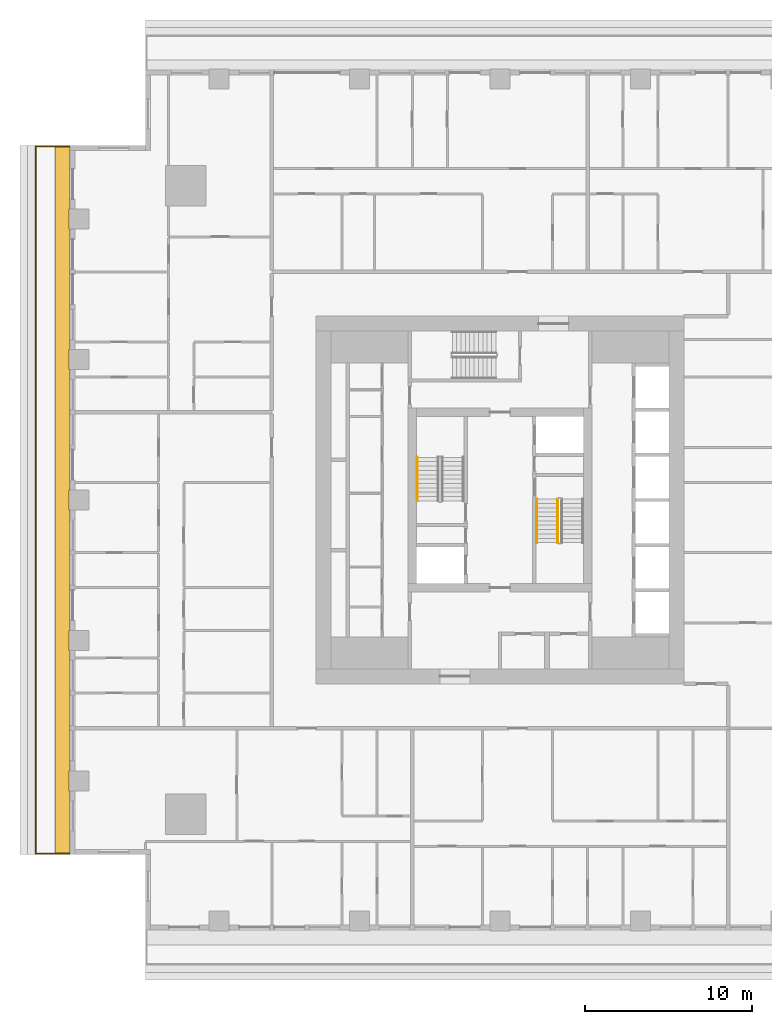
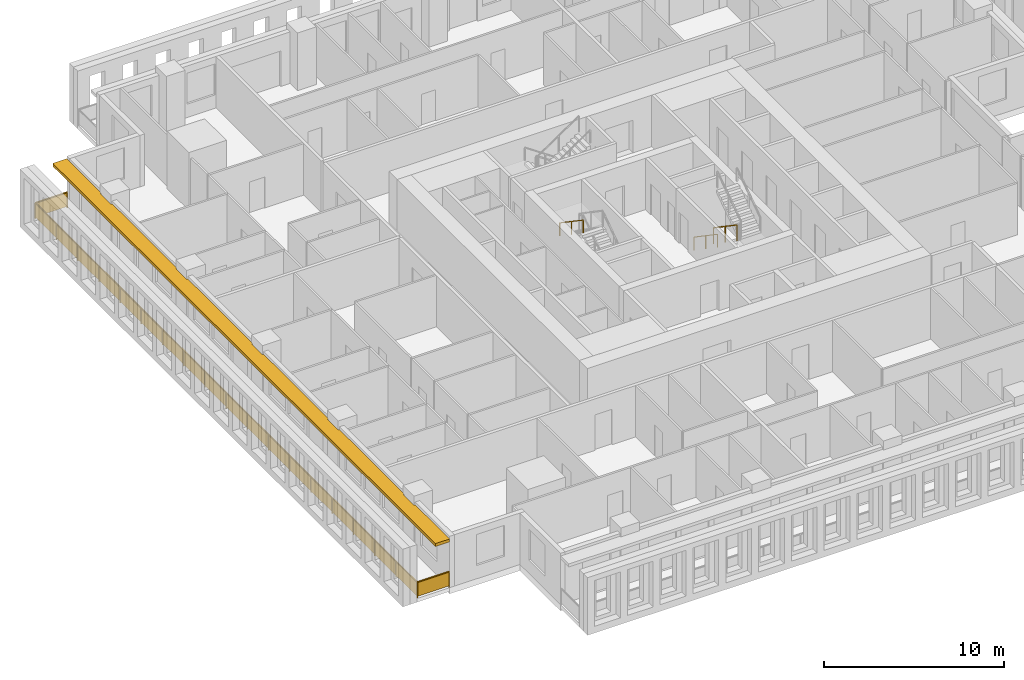
# One storey, part 12 of 16: 4 railings, 1 shading device.
"""IFC4 building model written with IfcOpenShell, lengths in metres."""

from ifc_helpers import new_model, si_unit, direction, frame, origin, origin_2d, place, context, subcontext, project, spatial, polyline, rectangle, outline, extrude, material, layer, layer_set, type_object, element, save


model = new_model("IFC4")

# Units and contexts
model_context = context("Model", 3, precision=1e-05, world=origin(), true_north=direction((0.0, 1.0)))
body_context = subcontext(model_context, "Body", "Model", "MODEL_VIEW")
ifc_project = project(units=[si_unit("LENGTHUNIT", "METRE"), si_unit("AREAUNIT", "SQUARE_METRE"), si_unit("VOLUMEUNIT", "CUBIC_METRE"), si_unit("PLANEANGLEUNIT", "RADIAN"), si_unit("MASSUNIT", "GRAM", prefix="KILO")], contexts=[model_context])

# Site, building, storey
site_placement = place(None, origin())
site = spatial("IfcSite", under=ifc_project, at=site_placement, CompositionType="ELEMENT")
building_placement = place(site_placement, origin())
building = spatial("IfcBuilding", under=site, at=building_placement, Name="Khepri Terraces", CompositionType="ELEMENT")
storey_placement = place(building_placement, frame((0.0, 0.0, 192.300048828125)))
storey = spatial("IfcBuildingStorey", under=building, at=storey_placement, Name="L45", CompositionType="ELEMENT", Elevation=192.300048828125)

# Railings
ifc_material_1 = material(Name="Stainless steel grade 316", Category="steel")
railing_type_1 = type_object("IfcRailingType", Name="GRD-BAL-1100", PredefinedType="GUARDRAIL", material=ifc_material_1)
railing_1_placement = place(storey_placement, frame((-25.719970703125, 21.169921875, 0.0)))
element("IfcRailing", 1, at=railing_1_placement, inside=storey, type_object=railing_type_1, Name="Balcony guard L45 W", PredefinedType="GUARDRAIL", context=body_context, shape_type="SweptSolid", body=[
    extrude(rectangle(XDim=0.050048828125, YDim=0.06005859375, at=origin_2d()), frame((0.0, 0.0, 1.070068359375), z_axis=(-1.0, 0.0, 0.0), x_axis=(0.0, -1.0, 0.0)), (0.0, 0.0, 1.0), 2.050048828125),
    extrude(rectangle(XDim=2.0, YDim=0.011962890625, at=origin_2d()), frame((-1.02490234375, 0.0, 0.10009765625), z_axis=(0.0, 0.0, 1.0), x_axis=(-1.0, 0.0, 0.0)), (0.0, 0.0, 1.0), 0.93994140625),
    extrude(rectangle(XDim=0.050048828125, YDim=0.06005859375, at=origin_2d()), frame((-2.050048828125, 0.0, 1.070068359375), z_axis=(0.0, -1.0, 0.0), x_axis=(1.0, 0.0, 0.0)), (0.0, 0.0, 1.0), 42.33984375),
    extrude(rectangle(XDim=2.30224609375, YDim=0.011962890625, at=origin_2d()), frame((-2.050048828125, -1.176025390625, 0.10009765625), z_axis=(0.0, 0.0, 1.0), x_axis=(0.0, -1.0, 0.0)), (0.0, 0.0, 1.0), 0.93994140625),
    extrude(rectangle(XDim=2.30224609375, YDim=0.011962890625, at=origin_2d()), frame((-2.050048828125, -3.5283203125, 0.10009765625), z_axis=(0.0, 0.0, 1.0), x_axis=(0.0, -1.0, 0.0)), (0.0, 0.0, 1.0), 0.93994140625),
    extrude(rectangle(XDim=2.30224609375, YDim=0.011962890625, at=origin_2d()), frame((-2.050048828125, -5.880615234375, 0.10009765625), z_axis=(0.0, 0.0, 1.0), x_axis=(0.0, -1.0, 0.0)), (0.0, 0.0, 1.0), 0.93994140625),
    extrude(rectangle(XDim=2.30224609375, YDim=0.011962890625, at=origin_2d()), frame((-2.050048828125, -8.232666015625, 0.10009765625), z_axis=(0.0, 0.0, 1.0), x_axis=(0.0, -1.0, 0.0)), (0.0, 0.0, 1.0), 0.93994140625),
    extrude(rectangle(XDim=2.30224609375, YDim=0.011962890625, at=origin_2d()), frame((-2.050048828125, -10.5849609375, 0.10009765625), z_axis=(0.0, 0.0, 1.0), x_axis=(0.0, -1.0, 0.0)), (0.0, 0.0, 1.0), 0.93994140625),
    extrude(rectangle(XDim=2.30224609375, YDim=0.011962890625, at=origin_2d()), frame((-2.050048828125, -12.937255859375, 0.10009765625), z_axis=(0.0, 0.0, 1.0), x_axis=(0.0, -1.0, 0.0)), (0.0, 0.0, 1.0), 0.93994140625),
    extrude(rectangle(XDim=2.30224609375, YDim=0.011962890625, at=origin_2d()), frame((-2.050048828125, -15.289306640625, 0.10009765625), z_axis=(0.0, 0.0, 1.0), x_axis=(0.0, -1.0, 0.0)), (0.0, 0.0, 1.0), 0.93994140625),
    extrude(rectangle(XDim=2.30224609375, YDim=0.011962890625, at=origin_2d()), frame((-2.050048828125, -17.6416015625, 0.10009765625), z_axis=(0.0, 0.0, 1.0), x_axis=(0.0, -1.0, 0.0)), (0.0, 0.0, 1.0), 0.93994140625),
    extrude(rectangle(XDim=2.30224609375, YDim=0.011962890625, at=origin_2d()), frame((-2.050048828125, -19.993896484375, 0.10009765625), z_axis=(0.0, 0.0, 1.0), x_axis=(0.0, -1.0, 0.0)), (0.0, 0.0, 1.0), 0.93994140625),
    extrude(rectangle(XDim=2.30224609375, YDim=0.011962890625, at=origin_2d()), frame((-2.050048828125, -22.345947265625, 0.10009765625), z_axis=(0.0, 0.0, 1.0), x_axis=(0.0, -1.0, 0.0)), (0.0, 0.0, 1.0), 0.93994140625),
    extrude(rectangle(XDim=2.30224609375, YDim=0.011962890625, at=origin_2d()), frame((-2.050048828125, -24.6982421875, 0.10009765625), z_axis=(0.0, 0.0, 1.0), x_axis=(0.0, -1.0, 0.0)), (0.0, 0.0, 1.0), 0.93994140625),
    extrude(rectangle(XDim=2.30224609375, YDim=0.011962890625, at=origin_2d()), frame((-2.050048828125, -27.050537109375, 0.10009765625), z_axis=(0.0, 0.0, 1.0), x_axis=(0.0, -1.0, 0.0)), (0.0, 0.0, 1.0), 0.93994140625),
    extrude(rectangle(XDim=2.30224609375, YDim=0.011962890625, at=origin_2d()), frame((-2.050048828125, -29.402587890625, 0.10009765625), z_axis=(0.0, 0.0, 1.0), x_axis=(0.0, -1.0, 0.0)), (0.0, 0.0, 1.0), 0.93994140625),
    extrude(rectangle(XDim=2.30224609375, YDim=0.011962890625, at=origin_2d()), frame((-2.050048828125, -31.7548828125, 0.10009765625), z_axis=(0.0, 0.0, 1.0), x_axis=(0.0, -1.0, 0.0)), (0.0, 0.0, 1.0), 0.93994140625),
    extrude(rectangle(XDim=2.30224609375, YDim=0.011962890625, at=origin_2d()), frame((-2.050048828125, -34.107177734375, 0.10009765625), z_axis=(0.0, 0.0, 1.0), x_axis=(0.0, -1.0, 0.0)), (0.0, 0.0, 1.0), 0.93994140625),
    extrude(rectangle(XDim=2.30224609375, YDim=0.011962890625, at=origin_2d()), frame((-2.050048828125, -36.459228515625, 0.10009765625), z_axis=(0.0, 0.0, 1.0), x_axis=(0.0, -1.0, 0.0)), (0.0, 0.0, 1.0), 0.93994140625),
    extrude(rectangle(XDim=2.30224609375, YDim=0.011962890625, at=origin_2d()), frame((-2.050048828125, -38.8115234375, 0.10009765625), z_axis=(0.0, 0.0, 1.0), x_axis=(0.0, -1.0, 0.0)), (0.0, 0.0, 1.0), 0.93994140625),
    extrude(rectangle(XDim=2.30224609375, YDim=0.011962890625, at=origin_2d()), frame((-2.050048828125, -41.163818359375, 0.10009765625), z_axis=(0.0, 0.0, 1.0), x_axis=(0.0, -1.0, 0.0)), (0.0, 0.0, 1.0), 0.93994140625),
    extrude(rectangle(XDim=0.050048828125, YDim=0.06005859375, at=origin_2d()), frame((-2.050048828125, -42.33984375, 1.070068359375), z_axis=(1.0, 0.0, 0.0), x_axis=(0.0, 1.0, 0.0)), (0.0, 0.0, 1.0), 2.050048828125),
    extrude(rectangle(XDim=2.0, YDim=0.011962890625, at=origin_2d()), frame((-1.02490234375, -42.33984375, 0.10009765625), z_axis=(0.0, 0.0, 1.0), x_axis=(1.0, 0.0, 0.0)), (0.0, 0.0, 1.0), 0.93994140625),
    extrude(rectangle(XDim=0.050048828125, YDim=0.050048828125, at=origin_2d()), origin(), (0.0, 0.0, 1.0), 1.0400390625),
    extrude(rectangle(XDim=0.050048828125, YDim=0.050048828125, at=origin_2d()), frame((-2.050048828125, 0.0, 0.0)), (0.0, 0.0, 1.0), 1.0400390625),
    extrude(rectangle(XDim=0.050048828125, YDim=0.050048828125, at=origin_2d()), frame((-2.050048828125, -2.352294921875, 0.0)), (0.0, 0.0, 1.0), 1.0400390625),
    extrude(rectangle(XDim=0.050048828125, YDim=0.050048828125, at=origin_2d()), frame((-2.050048828125, -4.704345703125, 0.0)), (0.0, 0.0, 1.0), 1.0400390625),
    extrude(rectangle(XDim=0.050048828125, YDim=0.050048828125, at=origin_2d()), frame((-2.050048828125, -7.056640625, 0.0)), (0.0, 0.0, 1.0), 1.0400390625),
    extrude(rectangle(XDim=0.050048828125, YDim=0.050048828125, at=origin_2d()), frame((-2.050048828125, -9.408935546875, 0.0)), (0.0, 0.0, 1.0), 1.0400390625),
    extrude(rectangle(XDim=0.050048828125, YDim=0.050048828125, at=origin_2d()), frame((-2.050048828125, -11.760986328125, 0.0)), (0.0, 0.0, 1.0), 1.0400390625),
    extrude(rectangle(XDim=0.050048828125, YDim=0.050048828125, at=origin_2d()), frame((-2.050048828125, -14.11328125, 0.0)), (0.0, 0.0, 1.0), 1.0400390625),
    extrude(rectangle(XDim=0.050048828125, YDim=0.050048828125, at=origin_2d()), frame((-2.050048828125, -16.465576171875, 0.0)), (0.0, 0.0, 1.0), 1.0400390625),
    extrude(rectangle(XDim=0.050048828125, YDim=0.050048828125, at=origin_2d()), frame((-2.050048828125, -18.817626953125, 0.0)), (0.0, 0.0, 1.0), 1.0400390625),
    extrude(rectangle(XDim=0.050048828125, YDim=0.050048828125, at=origin_2d()), frame((-2.050048828125, -21.169921875, 0.0)), (0.0, 0.0, 1.0), 1.0400390625),
    extrude(rectangle(XDim=0.050048828125, YDim=0.050048828125, at=origin_2d()), frame((-2.050048828125, -23.522216796875, 0.0)), (0.0, 0.0, 1.0), 1.0400390625),
    extrude(rectangle(XDim=0.050048828125, YDim=0.050048828125, at=origin_2d()), frame((-2.050048828125, -25.874267578125, 0.0)), (0.0, 0.0, 1.0), 1.0400390625),
    extrude(rectangle(XDim=0.050048828125, YDim=0.050048828125, at=origin_2d()), frame((-2.050048828125, -28.2265625, 0.0)), (0.0, 0.0, 1.0), 1.0400390625),
    extrude(rectangle(XDim=0.050048828125, YDim=0.050048828125, at=origin_2d()), frame((-2.050048828125, -30.578857421875, 0.0)), (0.0, 0.0, 1.0), 1.0400390625),
    extrude(rectangle(XDim=0.050048828125, YDim=0.050048828125, at=origin_2d()), frame((-2.050048828125, -32.930908203125, 0.0)), (0.0, 0.0, 1.0), 1.0400390625),
    extrude(rectangle(XDim=0.050048828125, YDim=0.050048828125, at=origin_2d()), frame((-2.050048828125, -35.283203125, 0.0)), (0.0, 0.0, 1.0), 1.0400390625),
    extrude(rectangle(XDim=0.050048828125, YDim=0.050048828125, at=origin_2d()), frame((-2.050048828125, -37.635498046875, 0.0)), (0.0, 0.0, 1.0), 1.0400390625),
    extrude(rectangle(XDim=0.050048828125, YDim=0.050048828125, at=origin_2d()), frame((-2.050048828125, -39.987548828125, 0.0)), (0.0, 0.0, 1.0), 1.0400390625),
    extrude(rectangle(XDim=0.050048828125, YDim=0.050048828125, at=origin_2d()), frame((-2.050048828125, -42.33984375, 0.0)), (0.0, 0.0, 1.0), 1.0400390625),
    extrude(rectangle(XDim=0.050048828125, YDim=0.050048828125, at=origin_2d()), frame((0.0, -42.33984375, 0.0)), (0.0, 0.0, 1.0), 1.0400390625),
])
ifc_material_2 = material(Name="Stainless steel 316", Category="steel")
railing_type_2 = type_object("IfcRailingType", Name="RL-CORE-GUARD", PredefinedType="GUARDRAIL", material=ifc_material_2)
railing_2_placement = place(storey_placement, frame((3.449951171875, 0.050048828125, 0.17724609375)))
element("IfcRailing", 2, at=railing_2_placement, inside=storey, type_object=railing_type_2, Name="L45 ST-2 stair guard 1", PredefinedType="GUARDRAIL", context=body_context, shape_type="SweptSolid", body=[
    extrude(rectangle(XDim=0.050048828125, YDim=0.06005859375, at=origin_2d()), frame((0.0, 0.0, 1.070068359375), z_axis=(0.0, -0.826240473404, 0.563317565952), x_axis=(1.0, 0.0, 0.0)), (0.0, 0.0, 1.0), 3.14697265625),
    extrude(rectangle(XDim=0.050048828125, YDim=0.050048828125, at=origin_2d()), origin(), (0.0, 0.0, 1.0), 1.0400390625),
    extrude(rectangle(XDim=0.050048828125, YDim=0.050048828125, at=origin_2d()), frame((0.0, -1.300048828125, 0.88623046875)), (0.0, 0.0, 1.0), 1.0400390625),
    extrude(rectangle(XDim=0.050048828125, YDim=0.050048828125, at=origin_2d()), frame((0.0, -2.60009765625, 1.772705078125)), (0.0, 0.0, 1.0), 1.0400390625),
])
railing_type_3 = type_object("IfcRailingType", Name="RL-CORE-HANDRAIL", PredefinedType="HANDRAIL", material=ifc_material_2)
for number, where, name in (
    (3, (-4.949951171875, 2.550048828125, 2.127197265625), "L45 ST-1 stair handrail 2"),
    (4, (2.199951171875, 0.050048828125, 0.17724609375), "L45 ST-2 stair handrail 1"),
):
    element("IfcRailing", number, at=place(storey_placement, frame(where)), inside=storey, type_object=railing_type_3, Name=name, PredefinedType="HANDRAIL", context=body_context, shape_type="SweptSolid", body=[
        extrude(rectangle(XDim=0.050048828125, YDim=0.050048828125, at=origin_2d()), frame((0.0, 0.0, 0.875), z_axis=(0.0, -0.826240473404, 0.563317565952), x_axis=(1.0, 0.0, 0.0)), (0.0, 0.0, 1.0), 3.14697265625),
        extrude(rectangle(XDim=0.050048828125, YDim=0.050048828125, at=origin_2d()), origin(), (0.0, 0.0, 1.0), 0.849853515625),
        extrude(rectangle(XDim=0.050048828125, YDim=0.050048828125, at=origin_2d()), frame((0.0, -1.300048828125, 0.88623046875)), (0.0, 0.0, 1.0), 0.849853515625),
        extrude(rectangle(XDim=0.050048828125, YDim=0.050048828125, at=origin_2d()), frame((0.0, -2.60009765625, 1.772705078125)), (0.0, 0.0, 1.0), 0.849853515625),
    ])

# Shading device
ifc_material_3 = material(Name="Precast concrete C50/60 warm stone", Category="masonry")
ifc_layer = layer(ifc_material_3, 0.199951171875, Name="Precast concrete C50/60 warm stone", Category="masonry")
ifc_layer_set = layer_set([ifc_layer], Name="Precast concrete C50/60 warm stone")
shading_device_type = type_object("IfcShadingDeviceType", Name="SSH-BAND-STONE-200", PredefinedType="USERDEFINED", material=ifc_layer_set)
shading_device_placement = place(storey_placement, frame((0.0, 0.0, 3.099853515625)))
element("IfcShadingDevice", 5, at=shading_device_placement, inside=storey, type_object=shading_device_type, Name="Sunshade band L45 W", ObjectType="SUNSHADE", PredefinedType="USERDEFINED", context=body_context, shape_type="SweptSolid", body=[
    extrude(outline(polyline([(-25.719970703125, 17.39990234375), (-25.719970703125, 21.219970703125), (-26.6201171875, 21.219970703125), (-26.6201171875, -21.219970703125), (-25.719970703125, -21.219970703125), (-25.719970703125, -17.39990234375), (-25.800048828125, -17.39990234375), (-25.800048828125, -16.199951171875), (-25.719970703125, -16.199951171875), (-25.719970703125, -9.0), (-25.800048828125, -9.0), (-25.800048828125, -7.800048828125), (-25.719970703125, -7.800048828125), (-25.719970703125, -0.60009765625), (-25.800048828125, -0.60009765625), (-25.800048828125, 0.60009765625), (-25.719970703125, 0.60009765625), (-25.719970703125, 7.800048828125), (-25.800048828125, 7.800048828125), (-25.800048828125, 9.0), (-25.719970703125, 9.0), (-25.719970703125, 16.199951171875), (-25.800048828125, 16.199951171875), (-25.800048828125, 17.39990234375), (-25.719970703125, 17.39990234375)])), origin(), (0.0, 0.0, 1.0), 0.2001953125),
])

save(model, "model.ifc")
